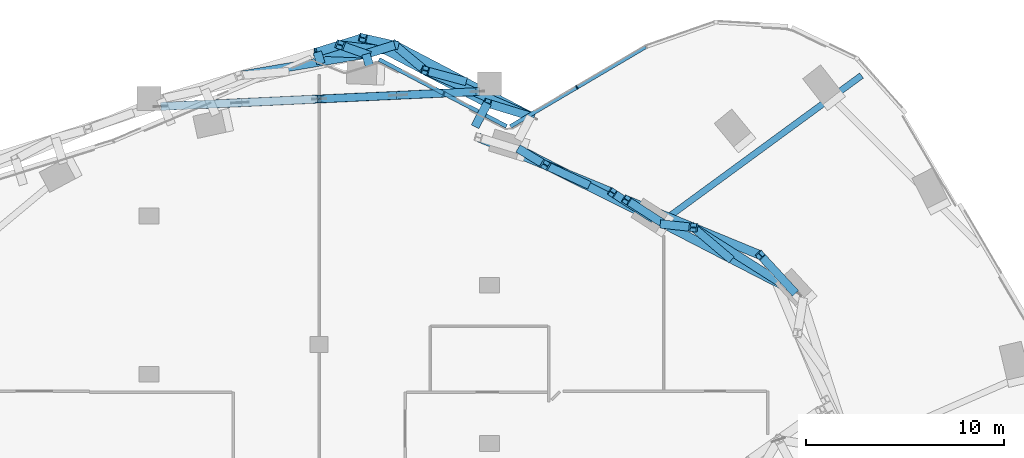
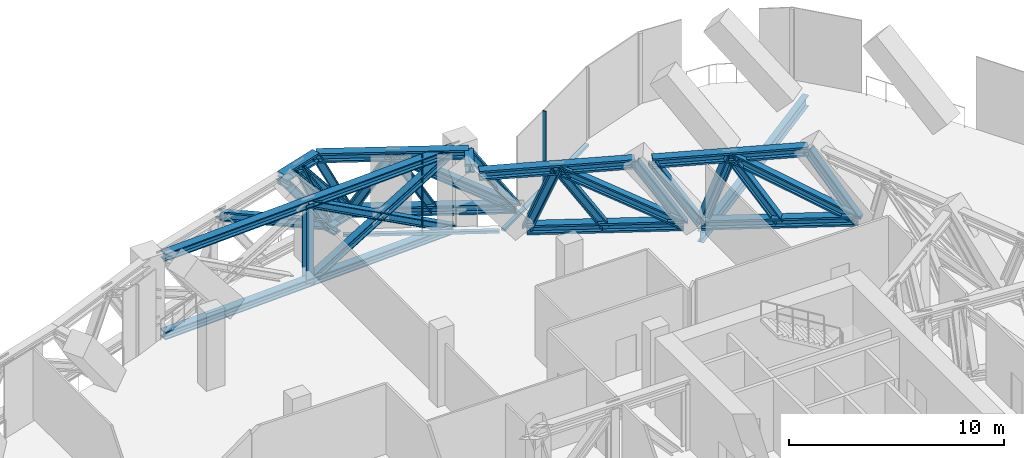
# One storey, part 12 of 31: 40 members, 1 beam, 2 elements without a shape of their own.
"""IFC4 building model written with IfcOpenShell, lengths in metres."""

from ifc_helpers import new_model, si_unit, direction, frame, origin, origin_2d, place, context, subcontext, project, spatial, rectangle, i_section, extrude, material, material_profile, profile_set, type_object, element, aggregate, save


model = new_model("IFC4")

# Units and contexts
model_context = context("Model", 3, precision=1e-05, world=origin(), true_north=direction((0.0, 1.0)))
body_context = subcontext(model_context, "Body", "Model", "MODEL_VIEW")
ifc_project = project(units=[si_unit("LENGTHUNIT", "METRE"), si_unit("AREAUNIT", "SQUARE_METRE"), si_unit("VOLUMEUNIT", "CUBIC_METRE"), si_unit("PLANEANGLEUNIT", "RADIAN"), si_unit("MASSUNIT", "GRAM", prefix="KILO")], contexts=[model_context])

# Site, building, storey
site_placement = place(None, origin())
site = spatial("IfcSite", under=ifc_project, at=site_placement, CompositionType="ELEMENT")
building_placement = place(site_placement, origin())
building = spatial("IfcBuilding", under=site, at=building_placement, Name="Orlundy Tower", CompositionType="ELEMENT")
storey_placement = place(building_placement, frame((0.0, 0.0, 271.0)))
storey = spatial("IfcBuildingStorey", under=building, at=storey_placement, Name="L72", CompositionType="ELEMENT", Elevation=271.0)

# Members
ifc_material_1 = material(Name="Steel ASTM A992 Gr 50", Category="steel")
ifc_material_profile_1 = material_profile(ifc_material_1, i_section(OverallWidth=0.4423828125, OverallDepth=0.531494140625, WebThickness=0.06591796875, FlangeThickness=0.105712890625, at=origin_2d()), Name="W14X605")
ifc_profile_set_1 = profile_set([ifc_material_profile_1], Name="Steel ASTM A992 Gr 50")
member_type_1 = type_object("IfcMemberType", Name="BELT TRUSS chord W14X605", PredefinedType="CHORD", material=ifc_profile_set_1)
member_1_placement = place(storey_placement, frame((23.94140625, 20.71826171875, 0.28466796875), z_axis=(-0.888610560625, 0.458662481074, 0.0), x_axis=(-0.458662481074, -0.888610560625, 0.0)))
element("IfcMember", 1, at=member_1_placement, inside=storey, type_object=member_type_1, Name="Belt truss bottom chord BT-15", PredefinedType="CHORD", context=body_context, shape_type="SweptSolid", body=[
    extrude(i_section(OverallWidth=0.4423828125, OverallDepth=0.531494140625, WebThickness=0.06591796875, FlangeThickness=0.105712890625, at=origin_2d()), origin(), (0.0, 0.0, 1.0), 7.31201171875),
])
member_2_placement = place(storey_placement, frame((22.279052734375, 22.521484375, 3.71533203125), z_axis=(-0.924557731239, 0.381041994543, 0.0), x_axis=(-0.381041994543, -0.924557731239, 0.0)))
element("IfcMember", 2, at=member_2_placement, inside=storey, type_object=member_type_1, Name="Belt truss top chord BT-15", PredefinedType="CHORD", context=body_context, shape_type="SweptSolid", body=[
    extrude(i_section(OverallWidth=0.4423828125, OverallDepth=0.531494140625, WebThickness=0.06591796875, FlangeThickness=0.105712890625, at=origin_2d()), origin(), (0.0, 0.0, 1.0), 7.311767578125),
])
for number, where, z_axis, x_axis, name in (
    (3, (16.728515625, 24.441162109375, 0.28466796875), (-0.88862987709, 0.458625055511, 0.0), (-0.458625055511, -0.88862987709, 0.0), "Belt truss bottom chord BT-16"),
    (4, (14.8037109375, 25.677001953125, 3.71533203125), (-0.924597156908, 0.380946318314, 0.0), (-0.380946318314, -0.924597156908, 0.0), "Belt truss top chord BT-16"),
):
    element("IfcMember", number, at=place(storey_placement, frame(where, z_axis=z_axis, x_axis=x_axis)), inside=storey, type_object=member_type_1, Name=name, PredefinedType="CHORD", context=body_context, shape_type="SweptSolid", body=[
        extrude(i_section(OverallWidth=0.4423828125, OverallDepth=0.531494140625, WebThickness=0.06591796875, FlangeThickness=0.105712890625, at=origin_2d()), origin(), (0.0, 0.0, 1.0), 7.310546875),
    ])
member_3_placement = place(storey_placement, frame((10.68603515625, 29.526611328125, 0.28466796875), z_axis=(-0.885690439512, 0.46427625974, 0.0), x_axis=(-0.46427625974, -0.885690439512, 0.0)))
element("IfcMember", 5, at=member_3_placement, inside=storey, type_object=member_type_1, Name="Belt truss bottom chord BT-17A", PredefinedType="CHORD", context=body_context, shape_type="SweptSolid", body=[
    extrude(i_section(OverallWidth=0.4423828125, OverallDepth=0.531494140625, WebThickness=0.06591796875, FlangeThickness=0.105712890625, at=origin_2d()), origin(), (0.0, 0.0, 1.0), 7.7578125),
])
member_4_placement = place(storey_placement, frame((8.498291015625, 30.19482421875, 3.71533203125), z_axis=(-0.885682115752, 0.464292138462, 0.0), x_axis=(-0.464292138462, -0.885682115752, 0.0)))
element("IfcMember", 6, at=member_4_placement, inside=storey, type_object=member_type_1, Name="Belt truss top chord BT-17A", PredefinedType="CHORD", context=body_context, shape_type="SweptSolid", body=[
    extrude(i_section(OverallWidth=0.4423828125, OverallDepth=0.531494140625, WebThickness=0.06591796875, FlangeThickness=0.105712890625, at=origin_2d()), origin(), (0.0, 0.0, 1.0), 7.101806640625),
])
member_5_placement = place(storey_placement, frame((3.81494140625, 33.12841796875, 0.28466796875), z_axis=(-0.954514145287, -0.298165635927, 0.0), x_axis=(0.298165635927, -0.954514145287, 0.0)))
element("IfcMember", 7, at=member_5_placement, inside=storey, type_object=member_type_1, Name="Belt truss bottom chord BT-17B", PredefinedType="CHORD", context=body_context, shape_type="SweptSolid", body=[
    extrude(i_section(OverallWidth=0.4423828125, OverallDepth=0.531494140625, WebThickness=0.06591796875, FlangeThickness=0.105712890625, at=origin_2d()), origin(), (0.0, 0.0, 1.0), 1.525390625),
])
member_6_placement = place(storey_placement, frame((2.208251953125, 33.4921875, 3.71533203125), z_axis=(-0.954479978035, -0.298274993136, 0.0), x_axis=(0.298274993136, -0.954479978035, 0.0)))
element("IfcMember", 8, at=member_6_placement, inside=storey, type_object=member_type_1, Name="Belt truss top chord BT-17B", PredefinedType="CHORD", context=body_context, shape_type="SweptSolid", body=[
    extrude(i_section(OverallWidth=0.4423828125, OverallDepth=0.531494140625, WebThickness=0.06591796875, FlangeThickness=0.105712890625, at=origin_2d()), origin(), (0.0, 0.0, 1.0), 2.410400390625),
])
ifc_material_2 = material(Name="Steel ASTM A992 Gr 50", Category="steel")
ifc_material_profile_2 = material_profile(ifc_material_2, i_section(OverallWidth=0.42431640625, OverallDepth=0.47412109375, WebThickness=0.0478515625, FlangeThickness=0.0771484375, at=origin_2d()), Name="W14X426")
ifc_profile_set_2 = profile_set([ifc_material_profile_2], Name="Steel ASTM A992 Gr 50")
member_type_2 = type_object("IfcMemberType", Name="BELT TRUSS diagonal W14X426", PredefinedType="BRACE", material=ifc_profile_set_2)
member_7_placement = place(storey_placement, frame((23.94140625, 20.71826171875, 0.28466796875), z_axis=(-0.732304043517, 0.464222757905, 0.498224867798), x_axis=(-0.53540615523, -0.844594724671, 0.0)))
element("IfcMember", 9, at=member_7_placement, inside=storey, type_object=member_type_2, Name="Belt truss diagonal BT-15-0", PredefinedType="BRACE", context=body_context, shape_type="SweptSolid", body=[
    extrude(i_section(OverallWidth=0.42431640625, OverallDepth=0.47412109375, WebThickness=0.0478515625, FlangeThickness=0.0771484375, at=origin_2d()), origin(), (0.0, 0.0, 1.0), 6.8857421875),
])
member_8_placement = place(storey_placement, frame((18.89892578125, 23.914794921875, 3.71533203125), z_axis=(-0.390122005877, 0.042154122783, -0.91979772258), x_axis=(-0.107428365915, -0.994212827415, 0.0)))
element("IfcMember", 10, at=member_8_placement, inside=storey, type_object=member_type_2, Name="Belt truss diagonal BT-15-1", PredefinedType="BRACE", context=body_context, shape_type="SweptSolid", body=[
    extrude(i_section(OverallWidth=0.42431640625, OverallDepth=0.47412109375, WebThickness=0.0478515625, FlangeThickness=0.0771484375, at=origin_2d()), origin(), (0.0, 0.0, 1.0), 3.729736328125),
])
member_9_placement = place(storey_placement, frame((16.728515625, 24.441162109375, 0.28466796875), z_axis=(-0.775258573298, 0.384150310679, 0.501400721314), x_axis=(-0.44399395348, -0.896029781466, 0.0)))
element("IfcMember", 11, at=member_9_placement, inside=storey, type_object=member_type_2, Name="Belt truss diagonal BT-16-0", PredefinedType="BRACE", context=body_context, shape_type="SweptSolid", body=[
    extrude(i_section(OverallWidth=0.42431640625, OverallDepth=0.47412109375, WebThickness=0.0478515625, FlangeThickness=0.0771484375, at=origin_2d()), origin(), (0.0, 0.0, 1.0), 6.842041015625),
])
member_10_placement = place(storey_placement, frame((11.424072265625, 27.069580078125, 3.71533203125), z_axis=(-0.321842584933, 0.195597490679, -0.926368702064), x_axis=(-0.519352640591, -0.854560024054, 0.0)))
element("IfcMember", 12, at=member_10_placement, inside=storey, type_object=member_type_2, Name="Belt truss diagonal BT-16-1", PredefinedType="BRACE", context=body_context, shape_type="SweptSolid", body=[
    extrude(i_section(OverallWidth=0.42431640625, OverallDepth=0.47412109375, WebThickness=0.0478515625, FlangeThickness=0.0771484375, at=origin_2d()), origin(), (0.0, 0.0, 1.0), 3.703369140625),
])
member_11_placement = place(storey_placement, frame((10.68603515625, 29.526611328125, 0.28466796875), z_axis=(-0.789923566055, 0.343193455197, 0.50817222681), x_axis=(-0.39848043512, -0.91717683291, 0.0)))
element("IfcMember", 13, at=member_11_placement, inside=storey, type_object=member_type_2, Name="Belt truss diagonal BT-17A-0", PredefinedType="BRACE", context=body_context, shape_type="SweptSolid", body=[
    extrude(i_section(OverallWidth=0.42431640625, OverallDepth=0.47412109375, WebThickness=0.0478515625, FlangeThickness=0.0771484375, at=origin_2d()), origin(), (0.0, 0.0, 1.0), 6.7509765625),
])
member_12_placement = place(storey_placement, frame((5.353271484375, 31.843505859375, 3.71533203125), z_axis=(-0.38716929141, 0.3233886654, -0.863434833024), x_axis=(-0.641058583079, -0.767491949835, 0.0)))
element("IfcMember", 14, at=member_12_placement, inside=storey, type_object=member_type_2, Name="Belt truss diagonal BT-17A-1", PredefinedType="BRACE", context=body_context, shape_type="SweptSolid", body=[
    extrude(i_section(OverallWidth=0.42431640625, OverallDepth=0.47412109375, WebThickness=0.0478515625, FlangeThickness=0.0771484375, at=origin_2d()), origin(), (0.0, 0.0, 1.0), 3.973388671875),
])
member_13_placement = place(storey_placement, frame((3.81494140625, 33.12841796875, 0.28466796875), z_axis=(-0.626431723869, 0.000998474367, 0.779475656053), x_axis=(-0.001593905706, -0.999998729731, 0.0)))
element("IfcMember", 15, at=member_13_placement, inside=storey, type_object=member_type_2, Name="Belt truss diagonal BT-17B-0", PredefinedType="BRACE", context=body_context, shape_type="SweptSolid", body=[
    extrude(i_section(OverallWidth=0.42431640625, OverallDepth=0.47412109375, WebThickness=0.0478515625, FlangeThickness=0.0771484375, at=origin_2d()), origin(), (0.0, 0.0, 1.0), 4.4013671875),
])
member_14_placement = place(storey_placement, frame((1.057861328125, 33.1328125, 3.71533203125), z_axis=(0.351846832874, -0.12419288659, -0.927782266007), x_axis=(0.332847885541, 0.942980532721, 0.0)))
element("IfcMember", 16, at=member_14_placement, inside=storey, type_object=member_type_2, Name="Belt truss diagonal BT-17B-1", PredefinedType="BRACE", context=body_context, shape_type="SweptSolid", body=[
    extrude(i_section(OverallWidth=0.42431640625, OverallDepth=0.47412109375, WebThickness=0.0478515625, FlangeThickness=0.0771484375, at=origin_2d()), origin(), (0.0, 0.0, 1.0), 3.69775390625),
])
member_15_placement = place(storey_placement, frame((2.35888671875, 32.673583984375, 0.28466796875), z_axis=(-0.871942082292, -0.147814943474, 0.466763052966), x_axis=(0.167139171138, -0.985933312893, 0.0)))
element("IfcMember", 17, at=member_15_placement, inside=storey, type_object=member_type_2, Name="Belt truss diagonal BT-18A-0", PredefinedType="BRACE", context=body_context, shape_type="SweptSolid", body=[
    extrude(i_section(OverallWidth=0.42431640625, OverallDepth=0.47412109375, WebThickness=0.0478515625, FlangeThickness=0.0771484375, at=origin_2d()), origin(), (0.0, 0.0, 1.0), 7.349853515625),
])
ifc_material_3 = material(Name="Steel ASTM A992 Gr 50", Category="steel")
ifc_material_profile_3 = material_profile(ifc_material_3, i_section(OverallWidth=0.412109375, OverallDepth=0.434814453125, WebThickness=0.035888671875, FlangeThickness=0.057373046875, at=origin_2d()), Name="W14X311")
ifc_profile_set_3 = profile_set([ifc_material_profile_3], Name="Steel ASTM A992 Gr 50")
member_type_3 = type_object("IfcMemberType", Name="BELT TRUSS post W14X311", PredefinedType="POST", material=ifc_profile_set_3)
member_16_placement = place(storey_placement, frame((23.94140625, 20.71826171875, 0.28466796875), z_axis=(-0.394187378261, 0.427591125839, 0.813499932344), x_axis=(-0.735242180976, -0.67780449638, 0.0)))
element("IfcMember", 18, at=member_16_placement, inside=storey, type_object=member_type_3, Name="Belt truss post BT-15-0", PredefinedType="POST", context=body_context, shape_type="SweptSolid", body=[
    extrude(i_section(OverallWidth=0.412109375, OverallDepth=0.434814453125, WebThickness=0.035888671875, FlangeThickness=0.057373046875, at=origin_2d()), origin(), (0.0, 0.0, 1.0), 4.21728515625),
])
member_17_placement = place(storey_placement, frame((20.692626953125, 22.39501953125, 0.28466796875), z_axis=(-0.431291114879, 0.365426322325, 0.824894888564), x_axis=(-0.646444861987, -0.76296070699, 0.0)))
element("IfcMember", 19, at=member_17_placement, inside=storey, type_object=member_type_3, Name="Belt truss post BT-15-1", PredefinedType="POST", context=body_context, shape_type="SweptSolid", body=[
    extrude(i_section(OverallWidth=0.412109375, OverallDepth=0.434814453125, WebThickness=0.035888671875, FlangeThickness=0.057373046875, at=origin_2d()), origin(), (0.0, 0.0, 1.0), 4.158935546875),
])
for number, where, z_axis, x_axis, name in (
    (20, (17.44384765625, 24.072021484375, 0.28466796875), (-0.466865930615, 0.299658652485, 0.832010153076), (-0.540158689498, -0.841563182512, 0.0), "Belt truss post BT-15-2"),
    (21, (16.728515625, 24.441162109375, 0.28466796875), (-0.466811341169, 0.299720828133, 0.832018387381), (-0.540282793504, -0.841483513233, 0.0), "Belt truss post BT-16-0"),
):
    element("IfcMember", number, at=place(storey_placement, frame(where, z_axis=z_axis, x_axis=x_axis)), inside=storey, type_object=member_type_3, Name=name, PredefinedType="POST", context=body_context, shape_type="SweptSolid", body=[
        extrude(i_section(OverallWidth=0.412109375, OverallDepth=0.434814453125, WebThickness=0.035888671875, FlangeThickness=0.057373046875, at=origin_2d()), origin(), (0.0, 0.0, 1.0), 4.123291015625),
    ])
member_18_placement = place(storey_placement, frame((13.480224609375, 26.117431640625, 0.28466796875), z_axis=(-0.50010713637, 0.231586064099, 0.834422403263), x_axis=(-0.420205721615, -0.907428868574, 0.0)))
element("IfcMember", 22, at=member_18_placement, inside=storey, type_object=member_type_3, Name="Belt truss post BT-16-1", PredefinedType="POST", context=body_context, shape_type="SweptSolid", body=[
    extrude(i_section(OverallWidth=0.412109375, OverallDepth=0.434814453125, WebThickness=0.035888671875, FlangeThickness=0.057373046875, at=origin_2d()), origin(), (0.0, 0.0, 1.0), 4.111328125),
])
member_19_placement = place(storey_placement, frame((10.68603515625, 29.526611328125, 0.28466796875), z_axis=(-0.530571737302, 0.162054998884, 0.832004692843), x_axis=(-0.292112785602, -0.956383877158, 0.0)))
element("IfcMember", 23, at=member_19_placement, inside=storey, type_object=member_type_3, Name="Belt truss post BT-17A-0", PredefinedType="POST", context=body_context, shape_type="SweptSolid", body=[
    extrude(i_section(OverallWidth=0.412109375, OverallDepth=0.434814453125, WebThickness=0.035888671875, FlangeThickness=0.057373046875, at=origin_2d()), origin(), (0.0, 0.0, 1.0), 4.123291015625),
])
member_20_placement = place(storey_placement, frame((7.25048828125, 31.327392578125, 0.28466796875), z_axis=(-0.47980459368, 0.130524631455, 0.867612167081), x_axis=(-0.262497451738, -0.964932685647, 0.0)))
element("IfcMember", 24, at=member_20_placement, inside=storey, type_object=member_type_3, Name="Belt truss post BT-17A-1", PredefinedType="POST", context=body_context, shape_type="SweptSolid", body=[
    extrude(i_section(OverallWidth=0.412109375, OverallDepth=0.434814453125, WebThickness=0.035888671875, FlangeThickness=0.057373046875, at=origin_2d()), origin(), (0.0, 0.0, 1.0), 3.9541015625),
])
member_21_placement = place(storey_placement, frame((3.81494140625, 33.12841796875, 0.28466796875), z_axis=(-0.422181454121, 0.09558583295, 0.90145780175), x_axis=(-0.220820332796, -0.975314503442, 0.0)))
element("IfcMember", 25, at=member_21_placement, inside=storey, type_object=member_type_3, Name="Belt truss post BT-17A-2", PredefinedType="POST", context=body_context, shape_type="SweptSolid", body=[
    extrude(i_section(OverallWidth=0.412109375, OverallDepth=0.434814453125, WebThickness=0.035888671875, FlangeThickness=0.057373046875, at=origin_2d()), origin(), (0.0, 0.0, 1.0), 3.8056640625),
])
member_22_placement = place(storey_placement, frame((3.0869140625, 32.90087890625, 0.28466796875), z_axis=(-0.508212137703, 0.058091869909, 0.859270479966), x_axis=(-0.113566820182, -0.99353036056, 0.0)))
element("IfcMember", 26, at=member_22_placement, inside=storey, type_object=member_type_3, Name="Belt truss post BT-17B-1", PredefinedType="POST", context=body_context, shape_type="SweptSolid", body=[
    extrude(i_section(OverallWidth=0.412109375, OverallDepth=0.434814453125, WebThickness=0.035888671875, FlangeThickness=0.057373046875, at=origin_2d()), origin(), (0.0, 0.0, 1.0), 3.992431640625),
])
member_23_placement = place(storey_placement, frame((2.35888671875, 32.673583984375, 0.28466796875), z_axis=(-0.581223905158, 0.023617105199, 0.813400887887), x_axis=(-0.040599900162, -0.99917548414, 0.0)))
element("IfcMember", 27, at=member_23_placement, inside=storey, type_object=member_type_3, Name="Belt truss post BT-17B-2", PredefinedType="POST", context=body_context, shape_type="SweptSolid", body=[
    extrude(i_section(OverallWidth=0.412109375, OverallDepth=0.434814453125, WebThickness=0.035888671875, FlangeThickness=0.057373046875, at=origin_2d()), origin(), (0.0, 0.0, 1.0), 4.2177734375),
])
ifc_material_4 = material(Name="Steel ASTM A992 Gr 50", Category="steel")
ifc_material_profile_4 = material_profile(ifc_material_4, i_section(OverallWidth=0.43212890625, OverallDepth=0.497802734375, WebThickness=0.0556640625, FlangeThickness=0.0888671875, at=origin_2d()), Name="W14X500")
ifc_profile_set_4 = profile_set([ifc_material_profile_4], Name="Steel ASTM A992 Gr 50")
member_type_4 = type_object("IfcMemberType", Name="BELT TRUSS strut W14X500", PredefinedType="STRUT", material=ifc_profile_set_4)
member_24_placement = place(storey_placement, frame((7.87353515625, 29.003173828125, 3.71533203125), z_axis=(0.464332412347, 0.885661002215, 0.0), x_axis=(-0.885661002215, 0.464332412347, 0.0)))
element("IfcMember", 28, at=member_24_placement, inside=storey, type_object=member_type_4, Name="Belt truss bracket C-H02", PredefinedType="STRUT", context=body_context, shape_type="SweptSolid", body=[
    extrude(i_section(OverallWidth=0.43212890625, OverallDepth=0.497802734375, WebThickness=0.0556640625, FlangeThickness=0.0888671875, at=origin_2d()), origin(), (0.0, 0.0, 1.0), 1.345458984375),
])
member_25_placement = place(storey_placement, frame((2.54248046875, 32.08544921875, 0.28466796875), z_axis=(-0.297981667802, 0.954571592734, 0.0), x_axis=(-0.954571592734, -0.297981667802, 0.0)))
element("IfcMember", 29, at=member_25_placement, inside=storey, type_object=member_type_4, Name="Belt truss bracket C-H01", PredefinedType="STRUT", context=body_context, shape_type="SweptSolid", body=[
    extrude(i_section(OverallWidth=0.43212890625, OverallDepth=0.497802734375, WebThickness=0.0556640625, FlangeThickness=0.0888671875, at=origin_2d()), origin(), (0.0, 0.0, 1.0), 0.6162109375),
])
member_26_placement = place(storey_placement, frame((0.09130859375, 32.185302734375, 3.71533203125), z_axis=(-0.298455533982, 0.954423540277, 0.0), x_axis=(-0.954423540277, -0.298455533982, 0.0)))
element("IfcMember", 30, at=member_26_placement, inside=storey, type_object=member_type_4, Name="Belt truss bracket C-H01", PredefinedType="STRUT", context=body_context, shape_type="SweptSolid", body=[
    extrude(i_section(OverallWidth=0.43212890625, OverallDepth=0.497802734375, WebThickness=0.0556640625, FlangeThickness=0.0888671875, at=origin_2d()), origin(), (0.0, 0.0, 1.0), 0.615966796875),
])

# Beam
ifc_material_5 = material(Name="Steel ASTM A992 Gr 50", Category="steel")
ifc_material_profile_5 = material_profile(ifc_material_5, i_section(OverallWidth=0.32373046875, OverallDepth=0.611083984375, WebThickness=0.0126953125, FlangeThickness=0.01904296875, at=origin_2d()), Name="W24X104")
ifc_profile_set_5 = profile_set([ifc_material_profile_5], Name="Steel ASTM A992 Gr 50")
beam_type = type_object("IfcBeamType", Name="CANTILEVER GIRDER beam W24X104", PredefinedType="BEAM", material=ifc_profile_set_5)
beam_placement = place(storey_placement, frame((27.394287109375, 31.588623046875, -0.755615234375), z_axis=(-0.80668574799, -0.590980629115, 0.0), x_axis=(0.590980629115, -0.80668574799, 0.0)))
element("IfcBeam", 31, at=beam_placement, inside=storey, type_object=beam_type, Name="Cantilever girder C-A5-5 L72", PredefinedType="BEAM", context=body_context, shape_type="SweptSolid", body=[
    extrude(i_section(OverallWidth=0.32373046875, OverallDepth=0.611083984375, WebThickness=0.0126953125, FlangeThickness=0.01904296875, at=origin_2d()), origin(), (0.0, 0.0, 1.0), 12.160400390625),
])

# Curtain wall, member
ifc_material_6 = material(Name="Aluminium bronze anodised", Category="aluminium")
curtain_wall_type = type_object("IfcCurtainWallType", Name="CW4 wall", PredefinedType="NOTDEFINED", material=ifc_material_6)
curtain_wall_1_placement = place(storey_placement, origin())
curtain_wall_1 = element("IfcCurtainWall", 32, at=curtain_wall_1_placement, inside=storey, type_object=curtain_wall_type, Name="CW4 run 015", PredefinedType="NOTDEFINED")
ifc_material_7 = material(Name="Aluminium bronze anodised", Category="aluminium")
ifc_material_profile_6 = material_profile(ifc_material_7, rectangle(XDim=0.199951171875, YDim=0.06005859375, at=origin_2d()), Name="CW4 mullion 60x200")
ifc_profile_set_6 = profile_set([ifc_material_profile_6], Name="Aluminium bronze anodised")
member_type_5 = type_object("IfcMemberType", Name="CW4 mullion 60x200", PredefinedType="MULLION", material=ifc_profile_set_6)
member_27_placement = place(storey_placement, frame((6.29638671875, 30.68505859375, -0.449951171875), z_axis=(0.0, 0.0, 1.0), x_axis=(0.464280609182, 0.885688159533, 0.0)))
member_27 = element("IfcMember", 33, at=member_27_placement, type_object=member_type_5, Name="CW4 mullion 24", PredefinedType="MULLION", context=body_context, shape_type="SweptSolid", body=[
    extrude(rectangle(XDim=0.199951171875, YDim=0.06005859375, at=origin_2d()), origin(), (0.0, 0.0, 1.0), 4.449951171875),
])

curtain_wall_2_placement = place(storey_placement, origin())
curtain_wall_2 = element("IfcCurtainWall", 34, at=curtain_wall_2_placement, inside=storey, type_object=curtain_wall_type, Name="CW4 run 016", PredefinedType="NOTDEFINED")
member_28_placement = place(storey_placement, frame((13.017333984375, 30.99560546875, -0.449951171875), z_axis=(0.0, 0.0, 1.0), x_axis=(-0.507456803224, 0.861677197599, 0.0)))
member_28 = element("IfcMember", 35, at=member_28_placement, type_object=member_type_5, Name="CW4 mullion 26", PredefinedType="MULLION", context=body_context, shape_type="SweptSolid", body=[
    extrude(rectangle(XDim=0.199951171875, YDim=0.06005859375, at=origin_2d()), origin(), (0.0, 0.0, 1.0), 4.449951171875),
])

# Member
ifc_material_8 = material(Name="Aluminium bronze anodised", Category="aluminium")
ifc_material_profile_7 = material_profile(ifc_material_8, rectangle(XDim=0.199951171875, YDim=0.14990234375, at=origin_2d()), Name="CW4 transom 200x150")
ifc_profile_set_7 = profile_set([ifc_material_profile_7], Name="Aluminium bronze anodised")
member_type_6 = type_object("IfcMemberType", Name="CW4 transom 200x150", PredefinedType="USERDEFINED", material=ifc_profile_set_7)
member_29_placement = place(storey_placement, frame((3.022216796875, 32.4013671875, -0.375), z_axis=(0.885689689715, -0.464277690109, 0.0), x_axis=(0.464277690109, 0.885689689715, 0.0)))
member_29 = element("IfcMember", 36, at=member_29_placement, type_object=member_type_6, Name="CW4 transom", ObjectType="TRANSOM", PredefinedType="USERDEFINED", context=body_context, shape_type="SweptSolid", body=[
    extrude(rectangle(XDim=0.199951171875, YDim=0.14990234375, at=origin_2d()), origin(), (0.0, 0.0, 1.0), 7.27880859375),
])

aggregate(curtain_wall_1, [member_27, member_29])

member_30_placement = place(storey_placement, frame((9.659423828125, 29.01806640625, -0.375), z_axis=(0.861675271739, 0.507460073379, 0.0), x_axis=(-0.507460073379, 0.861675271739, 0.0)))
member_30 = element("IfcMember", 37, at=member_30_placement, type_object=member_type_6, Name="CW4 transom", ObjectType="TRANSOM", PredefinedType="USERDEFINED", context=body_context, shape_type="SweptSolid", body=[
    extrude(rectangle(XDim=0.199951171875, YDim=0.14990234375, at=origin_2d()), origin(), (0.0, 0.0, 1.0), 7.928955078125),
])

aggregate(curtain_wall_2, [member_28, member_30])

# Members
ifc_material_9 = material(Name="Steel ASTM A992 Gr 50", Category="steel")
ifc_material_profile_8 = material_profile(ifc_material_9, i_section(OverallWidth=0.412109375, OverallDepth=0.434814453125, WebThickness=0.035888671875, FlangeThickness=0.057373046875, at=origin_2d()), Name="W14X311")
ifc_profile_set_8 = profile_set([ifc_material_profile_8], Name="Steel ASTM A992 Gr 50")
member_type_7 = type_object("IfcMemberType", Name="PORTAL TRUSS chord W14X311", PredefinedType="CHORD", material=ifc_profile_set_8)
for number, where, z_axis, x_axis, name in (
    (38, (-8.0, 30.030029296875, -0.734619140625), (0.998906024145, 0.046762751497, 0.0), (-0.046762751497, 0.998906024145, 0.0), "Portal truss bottom chord PF-N"),
    (39, (-8.0, 30.030029296875, 3.71533203125), (0.998906024145, 0.046762751497, 0.0), (-0.046762751497, 0.998906024145, 0.0), "Portal truss top chord PF-N"),
):
    element("IfcMember", number, at=place(storey_placement, frame(where, z_axis=z_axis, x_axis=x_axis)), inside=storey, type_object=member_type_7, Name=name, PredefinedType="CHORD", context=body_context, shape_type="SweptSolid", body=[
        extrude(i_section(OverallWidth=0.412109375, OverallDepth=0.434814453125, WebThickness=0.035888671875, FlangeThickness=0.057373046875, at=origin_2d()), origin(), (0.0, 0.0, 1.0), 16.017578125),
    ])
ifc_material_10 = material(Name="Steel ASTM A992 Gr 50", Category="steel")
ifc_material_profile_9 = material_profile(ifc_material_10, i_section(OverallWidth=0.39892578125, OverallDepth=0.393310546875, WebThickness=0.022705078125, FlangeThickness=0.03662109375, at=origin_2d()), Name="W14X193")
ifc_profile_set_9 = profile_set([ifc_material_profile_9], Name="Steel ASTM A992 Gr 50")
member_type_8 = type_object("IfcMemberType", Name="PORTAL TRUSS diagonal W14X193", PredefinedType="BRACE", material=ifc_profile_set_9)
member_31_placement = place(storey_placement, frame((0.0, 30.404541015625, 3.71533203125), z_axis=(0.873171378079, 0.040876614196, -0.485696249641), x_axis=(-0.046762751497, 0.998906024145, 0.0)))
element("IfcMember", 40, at=member_31_placement, inside=storey, type_object=member_type_8, Name="Portal truss diagonal PF-N-1", PredefinedType="BRACE", context=body_context, shape_type="SweptSolid", body=[
    extrude(i_section(OverallWidth=0.39892578125, OverallDepth=0.393310546875, WebThickness=0.022705078125, FlangeThickness=0.03662109375, at=origin_2d()), origin(), (0.0, 0.0, 1.0), 9.162109375),
])
for number, where, z_axis, x_axis, name in (
    (41, (0.0, 30.404541015625, -0.734619140625), (0.873182678908, 0.040877143233, 0.485675888238), (-0.046762751497, 0.998906024145, 0.0), "Portal truss diagonal PF-N-1b1"),
    (42, (4.0, 30.591796875, 1.490234375), (0.873160077068, 0.040876085151, 0.485716610254), (-0.046762751497, 0.998906024145, 0.0), "Portal truss diagonal PF-N-1b2"),
):
    element("IfcMember", number, at=place(storey_placement, frame(where, z_axis=z_axis, x_axis=x_axis)), inside=storey, type_object=member_type_8, Name=name, PredefinedType="BRACE", context=body_context, shape_type="SweptSolid", body=[
        extrude(i_section(OverallWidth=0.39892578125, OverallDepth=0.393310546875, WebThickness=0.022705078125, FlangeThickness=0.03662109375, at=origin_2d()), origin(), (0.0, 0.0, 1.0), 4.5810546875),
    ])
ifc_material_11 = material(Name="Steel ASTM A992 Gr 50", Category="steel")
ifc_material_profile_10 = material_profile(ifc_material_11, i_section(OverallWidth=0.39892578125, OverallDepth=0.393310546875, WebThickness=0.022705078125, FlangeThickness=0.03662109375, at=origin_2d()), Name="W14X193")
ifc_profile_set_10 = profile_set([ifc_material_profile_10], Name="Steel ASTM A992 Gr 50")
member_type_9 = type_object("IfcMemberType", Name="PORTAL TRUSS post W14X193", PredefinedType="POST", material=ifc_profile_set_10)
member_32_placement = place(storey_placement, frame((0.0, 30.404541015625, -0.734619140625), z_axis=(0.0, 0.0, 1.0), x_axis=(1.0, 0.0, 0.0)))
element("IfcMember", 43, at=member_32_placement, inside=storey, type_object=member_type_9, Name="Portal truss post PF-N-1", PredefinedType="POST", context=body_context, shape_type="SweptSolid", body=[
    extrude(i_section(OverallWidth=0.39892578125, OverallDepth=0.393310546875, WebThickness=0.022705078125, FlangeThickness=0.03662109375, at=origin_2d()), origin(), (0.0, 0.0, 1.0), 4.449951171875),
])

save(model, "model.ifc")
